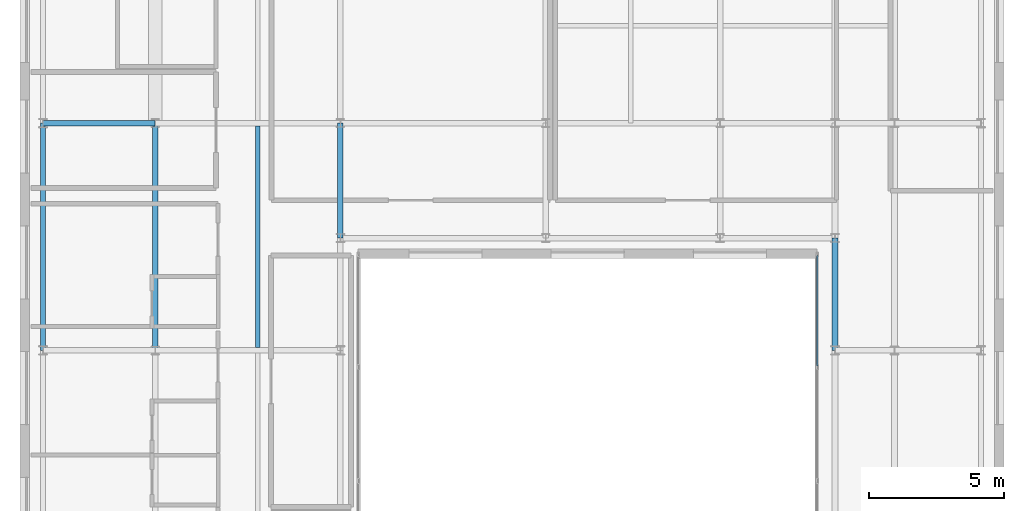
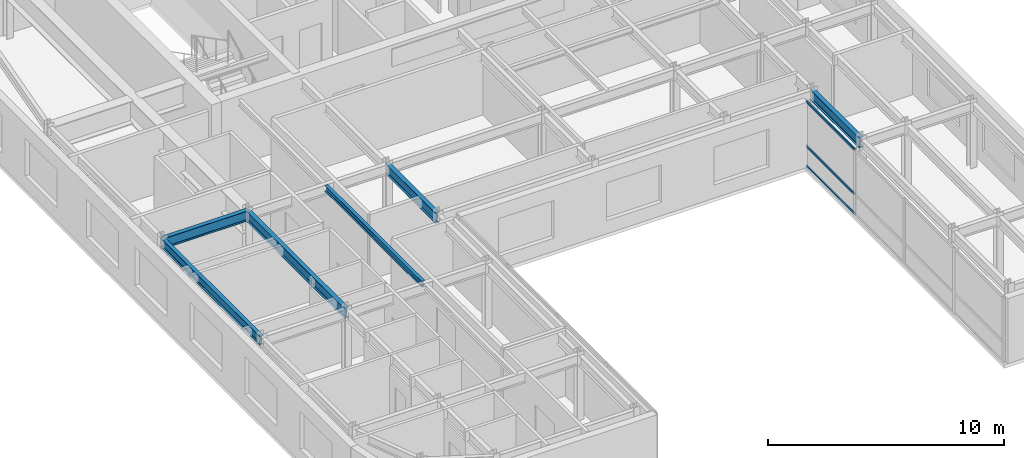
# One storey, part 8 of 18: 6 beams, 3 members, 1 element without a shape of its own.
"""IFC4 building model written with IfcOpenShell, lengths in metres."""

from ifc_helpers import new_model, si_unit, direction, frame, origin, origin_2d, place, context, subcontext, project, spatial, hollow_rectangle, i_section, extrude, source, transform, mapped, material, layer, layer_set, material_profile, profile_set, type_object, type_shapes, element, aggregate, save


model = new_model("IFC4")

# Units and contexts
model_context = context("Model", 3, precision=1e-05, world=origin(), true_north=direction((0.0, 1.0)))
body_context = subcontext(model_context, "Body", "Model", "MODEL_VIEW")
ifc_project = project(units=[si_unit("LENGTHUNIT", "METRE"), si_unit("AREAUNIT", "SQUARE_METRE"), si_unit("VOLUMEUNIT", "CUBIC_METRE"), si_unit("PLANEANGLEUNIT", "RADIAN"), si_unit("MASSUNIT", "GRAM", prefix="KILO")], contexts=[model_context])

# Site, building, storey
site_placement = place(None, origin())
site = spatial("IfcSite", under=ifc_project, at=site_placement, CompositionType="ELEMENT")
building_placement = place(site_placement, origin())
building = spatial("IfcBuilding", under=site, at=building_placement, Name="Tolvann Quenvar Hotel", CompositionType="ELEMENT")
storey_placement = place(building_placement, frame((0.0, 0.0, 245.199951171875)))
storey = spatial("IfcBuildingStorey", under=building, at=storey_placement, Name="L65", CompositionType="ELEMENT", Elevation=245.199951171875)

# Beams
ifc_material_1 = material(Name="Steel Grade 350", Category="steel")
ifc_material_profile_1 = material_profile(ifc_material_1, i_section(OverallWidth=0.208984375, OverallDepth=0.532958984375, WebThickness=0.01025390625, FlangeThickness=0.015625, FilletRadius=0.013916015625, at=origin_2d()), Name="530UB92")
ifc_profile_set_1 = profile_set([ifc_material_profile_1], Name="Steel Grade 350")
beam_type_1 = type_object("IfcBeamType", Name="BM_GIRD_530UB92", PredefinedType="BEAM", material=ifc_profile_set_1)
shared_shape_1 = source(origin(), body_context, "Body", "SweptSolid", [
    extrude(i_section(OverallWidth=0.208984375, OverallDepth=0.532958984375, WebThickness=0.01025390625, FlangeThickness=0.015625, FilletRadius=0.013916015625, at=origin_2d()), origin(), (0.0, 0.0, 1.0), 8.39990234375),
])
beam_1_placement = place(storey_placement, frame((7.60009765625, 16.0, 3.103515625), z_axis=(0.0, 1.0, 0.0), x_axis=(-1.0, 0.0, 0.0)))
element("IfcBeam", 1, at=beam_1_placement, inside=storey, type_object=beam_type_1, Name="BM-L65-NS-C4-C5", PredefinedType="BEAM", context=body_context, shape_type="MappedRepresentation", body=[
    mapped(shared_shape_1, transform((0.0, 0.0, 0.0), x_axis=(1.0, 0.0, 0.0), y_axis=(0.0, 1.0, 0.0), z_axis=(0.0, 0.0, 1.0), scale=1.0)),
])
ifc_material_profile_2 = material_profile(ifc_material_1, i_section(OverallWidth=0.19091796875, OverallDepth=0.4599609375, WebThickness=0.010009765625, FlangeThickness=0.01611328125, FilletRadius=0.011474609375, at=origin_2d()), Name="460UB82")
ifc_profile_set_2 = profile_set([ifc_material_profile_2], Name="Steel Grade 350")
beam_type_2 = type_object("IfcBeamType", Name="BM_SPAND_460UB82", PredefinedType="SPANDREL", material=ifc_profile_set_2)
shared_shape_2 = source(origin(), body_context, "Body", "SweptSolid", [
    extrude(i_section(OverallWidth=0.19091796875, OverallDepth=0.4599609375, WebThickness=0.010009765625, FlangeThickness=0.01611328125, FilletRadius=0.011474609375, at=origin_2d()), origin(), (0.0, 0.0, 1.0), 8.39990234375),
])
type_shapes(beam_type_2, [shared_shape_2])
beam_2_placement = place(storey_placement, frame((3.449951171875, 16.0, 3.14013671875), z_axis=(0.0, 1.0, 0.0), x_axis=(-1.0, 0.0, 0.0)))
element("IfcBeam", 2, at=beam_2_placement, inside=storey, type_object=beam_type_2, Name="BM-L65-NS-B4-B5", PredefinedType="SPANDREL", context=body_context, shape_type="MappedRepresentation", body=[
    mapped(shared_shape_2, transform((0.0, 0.0, 0.0), x_axis=(1.0, 0.0, 0.0), y_axis=(0.0, 1.0, 0.0), z_axis=(0.0, 0.0, 1.0), scale=1.0)),
])
shared_shape_3 = source(origin(), body_context, "Body", "SweptSolid", [
    extrude(i_section(OverallWidth=0.208984375, OverallDepth=0.532958984375, WebThickness=0.01025390625, FlangeThickness=0.015625, FilletRadius=0.013916015625, at=origin_2d()), origin(), (0.0, 0.0, 1.0), 4.150146484375),
])
beam_3_placement = place(storey_placement, frame((3.449951171875, 24.39990234375, 3.103515625), z_axis=(1.0, 0.0, 0.0), x_axis=(0.0, 1.0, 0.0)))
element("IfcBeam", 3, at=beam_3_placement, inside=storey, type_object=beam_type_1, Name="BM-L65-EW-5-B5-C5", PredefinedType="BEAM", context=body_context, shape_type="MappedRepresentation", body=[
    mapped(shared_shape_3, transform((0.0, 0.0, 0.0), x_axis=(1.0, 0.0, 0.0), y_axis=(0.0, 1.0, 0.0), z_axis=(0.0, 0.0, 1.0), scale=1.0)),
])
shared_shape_4 = source(origin(), body_context, "Body", "SweptSolid", [
    extrude(i_section(OverallWidth=0.208984375, OverallDepth=0.532958984375, WebThickness=0.01025390625, FlangeThickness=0.015625, FilletRadius=0.013916015625, at=origin_2d()), origin(), (0.0, 0.0, 1.0), 4.25),
])
beam_4_placement = place(storey_placement, frame((14.449951171875, 20.14990234375, 3.103515625), z_axis=(0.0, 1.0, 0.0), x_axis=(-1.0, 0.0, 0.0)))
element("IfcBeam", 4, at=beam_4_placement, inside=storey, type_object=beam_type_1, Name="BM-L65-NS-D4P-D5", PredefinedType="BEAM", context=body_context, shape_type="MappedRepresentation", body=[
    mapped(shared_shape_4, transform((0.0, 0.0, 0.0), x_axis=(1.0, 0.0, 0.0), y_axis=(0.0, 1.0, 0.0), z_axis=(0.0, 0.0, 1.0), scale=1.0)),
])
shared_shape_5 = source(origin(), body_context, "Body", "SweptSolid", [
    extrude(i_section(OverallWidth=0.208984375, OverallDepth=0.532958984375, WebThickness=0.01025390625, FlangeThickness=0.015625, FilletRadius=0.013916015625, at=origin_2d()), origin(), (0.0, 0.0, 1.0), 4.14990234375),
])
type_shapes(beam_type_1, [shared_shape_1, shared_shape_3, shared_shape_4, shared_shape_5])
beam_5_placement = place(storey_placement, frame((32.75, 16.0, 3.103515625), z_axis=(0.0, 1.0, 0.0), x_axis=(-1.0, 0.0, 0.0)))
element("IfcBeam", 5, at=beam_5_placement, inside=storey, type_object=beam_type_1, Name="BM-L65-NS-FP4-FP4P", PredefinedType="BEAM", context=body_context, shape_type="MappedRepresentation", body=[
    mapped(shared_shape_5, transform((0.0, 0.0, 0.0), x_axis=(1.0, 0.0, 0.0), y_axis=(0.0, 1.0, 0.0), z_axis=(0.0, 0.0, 1.0), scale=1.0)),
])
ifc_material_profile_3 = material_profile(ifc_material_1, i_section(OverallWidth=0.166015625, OverallDepth=0.306884765625, WebThickness=0.006591796875, FlangeThickness=0.01171875, FilletRadius=0.011474609375, at=origin_2d()), Name="310UB46")
ifc_profile_set_3 = profile_set([ifc_material_profile_3], Name="Steel Grade 350")
beam_type_3 = type_object("IfcBeamType", Name="BM_JOIST_310UB46", PredefinedType="JOIST", material=ifc_profile_set_3)
shared_shape_6 = source(origin(), body_context, "Body", "SweptSolid", [
    extrude(i_section(OverallWidth=0.166015625, OverallDepth=0.306884765625, WebThickness=0.006591796875, FlangeThickness=0.01171875, FilletRadius=0.011474609375, at=origin_2d()), origin(), (0.0, 0.0, 1.0), 8.203125),
])
type_shapes(beam_type_3, [shared_shape_6])
beam_6_placement = place(storey_placement, frame((11.39990234375, 16.098388671875, 3.216552734375), z_axis=(0.0, 1.0, 0.0), x_axis=(-1.0, 0.0, 0.0)))
element("IfcBeam", 6, at=beam_6_placement, inside=storey, type_object=beam_type_3, Name="BJ-L65-114-160", PredefinedType="JOIST", context=body_context, shape_type="MappedRepresentation", body=[
    mapped(shared_shape_6, transform((0.0, 0.0, 0.0), x_axis=(1.0, 0.0, 0.0), y_axis=(0.0, 1.0, 0.0), z_axis=(0.0, 0.0, 1.0), scale=1.0)),
])

# Curtain wall, members
ifc_material_2 = material(Name="Thermally broken anodised architectural aluminium 6063-T6 and laminated low-E glass", Category="aluminium")
ifc_layer = layer(ifc_material_2, 0.179931640625)
ifc_layer_set = layer_set([ifc_layer], Name="Thermally broken anodised architectural aluminium 6063-T6 and laminated low-E glass")
curtain_wall_type = type_object("IfcCurtainWallType", Name="CW_SYS_PORTAL_05", PredefinedType="USERDEFINED", material=ifc_layer_set)
curtain_wall_placement = place(storey_placement, origin())
curtain_wall = element("IfcCurtainWall", 7, at=curtain_wall_placement, inside=storey, type_object=curtain_wall_type, Name="Curtain Wall CW-PORTAL-05 (CWR-L65-E07)", ObjectType="UNITISED CURTAIN WALL", PredefinedType="USERDEFINED")
ifc_material_3 = material(Name="Anodised architectural aluminium 6063-T6 framing", Category="aluminium")
ifc_material_profile_4 = material_profile(ifc_material_3, hollow_rectangle(XDim=0.06005859375, YDim=0.1201171875, WallThickness=0.00341796875, at=origin_2d()), Name="120x60x3.5RHS")
ifc_profile_set_4 = profile_set([ifc_material_profile_4], Name="Anodised architectural aluminium 6063-T6 framing")
member_type = type_object("IfcMemberType", Name="CW_TRAN_120x60", PredefinedType="USERDEFINED", material=ifc_profile_set_4)
shared_shape_7 = source(origin(), body_context, "Body", "SweptSolid", [
    extrude(hollow_rectangle(XDim=0.06005859375, YDim=0.1201171875, WallThickness=0.00341796875, at=origin_2d()), origin(), (0.0, 0.0, 1.0), 4.094970703125),
])
type_shapes(member_type, [shared_shape_7])
member_1_placement = place(storey_placement, frame((32.090087890625, 19.5048828125, 0.030029296875), z_axis=(0.0, -1.0, 0.0), x_axis=(1.0, 0.0, 0.0)))
member_1 = element("IfcMember", 8, at=member_1_placement, type_object=member_type, Name="CW-PORTAL-05 transom 1.1", ObjectType="TRANSOM", PredefinedType="USERDEFINED", context=body_context, shape_type="MappedRepresentation", body=[
    mapped(shared_shape_7, transform((0.0, 0.0, 0.0), x_axis=(1.0, 0.0, 0.0), y_axis=(0.0, 1.0, 0.0), z_axis=(0.0, 0.0, 1.0), scale=1.0)),
])
member_2_placement = place(storey_placement, frame((32.090087890625, 19.5048828125, 1.050048828125), z_axis=(0.0, -1.0, 0.0), x_axis=(1.0, 0.0, 0.0)))
member_2 = element("IfcMember", 9, at=member_2_placement, type_object=member_type, Name="CW-PORTAL-05 transom 1.2", ObjectType="TRANSOM", PredefinedType="USERDEFINED", context=body_context, shape_type="MappedRepresentation", body=[
    mapped(shared_shape_7, transform((0.0, 0.0, 0.0), x_axis=(1.0, 0.0, 0.0), y_axis=(0.0, 1.0, 0.0), z_axis=(0.0, 0.0, 1.0), scale=1.0)),
])
member_3_placement = place(storey_placement, frame((32.090087890625, 19.5048828125, 3.340087890625), z_axis=(0.0, -1.0, 0.0), x_axis=(1.0, 0.0, 0.0)))
member_3 = element("IfcMember", 10, at=member_3_placement, type_object=member_type, Name="CW-PORTAL-05 transom 1.3", ObjectType="TRANSOM", PredefinedType="USERDEFINED", context=body_context, shape_type="MappedRepresentation", body=[
    mapped(shared_shape_7, transform((0.0, 0.0, 0.0), x_axis=(1.0, 0.0, 0.0), y_axis=(0.0, 1.0, 0.0), z_axis=(0.0, 0.0, 1.0), scale=1.0)),
])
aggregate(curtain_wall, [member_1, member_2, member_3])

save(model, "model.ifc")
